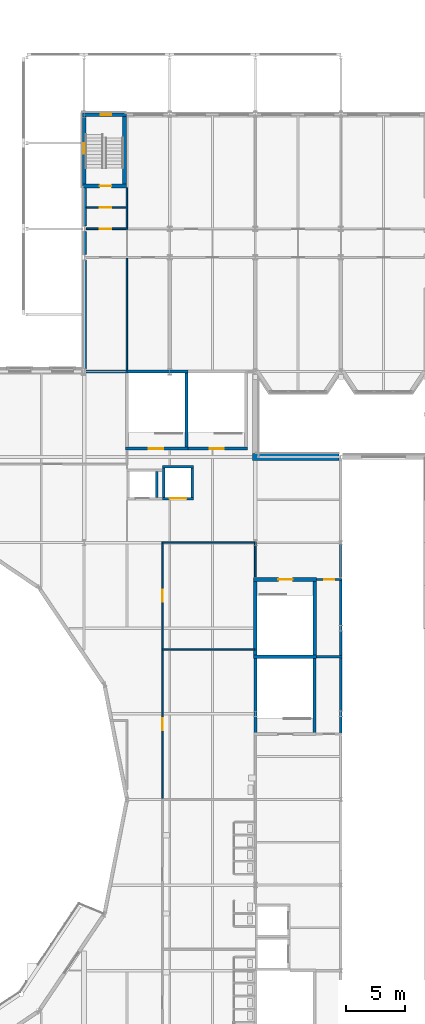
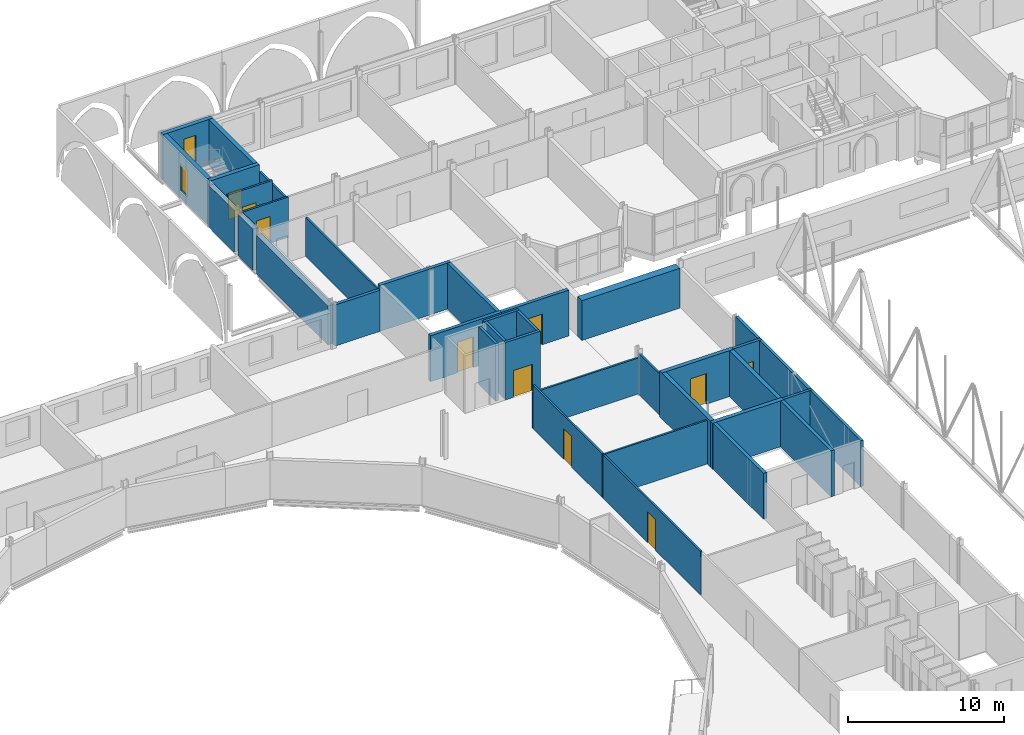
# One storey, part 96 of 142: 38 walls, 10 doors, 2 windows, 12 openings.
"""IFC4 building model written with IfcOpenShell, lengths in metres."""

from ifc_helpers import new_model, si_unit, direction, frame, frame_2d, origin, place, context, subcontext, project, spatial, rectangle, extrude, material, layer, layer_set, type_object, element, fill, save


model = new_model("IFC4")

# Units and contexts
model_context = context("Model", 3, precision=1e-05, world=origin(), true_north=direction((0.0, 1.0)))
body_context = subcontext(model_context, "Body", "Model", "MODEL_VIEW")
ifc_project = project(units=[si_unit("LENGTHUNIT", "METRE"), si_unit("AREAUNIT", "SQUARE_METRE"), si_unit("VOLUMEUNIT", "CUBIC_METRE"), si_unit("PLANEANGLEUNIT", "RADIAN"), si_unit("MASSUNIT", "GRAM", prefix="KILO")], contexts=[model_context])

# Site, building, storey
site_placement = place(None, origin())
site = spatial("IfcSite", under=ifc_project, at=site_placement, CompositionType="ELEMENT")
building_placement = place(site_placement, origin())
building = spatial("IfcBuilding", under=site, at=building_placement, Name="Kupolbacken Congress Centre", CompositionType="ELEMENT")
storey_placement = place(building_placement, frame((0.0, 0.0, 14.39990234375)))
storey = spatial("IfcBuildingStorey", under=building, at=storey_placement, Name="L04", CompositionType="ELEMENT", Elevation=14.39990234375)

# Walls
ifc_material_1 = material(Name="Limestone", Category="masonry")
ifc_layer_1 = layer(ifc_material_1, 0.1201171875)
ifc_material_2 = material(Name="Air cavity", Category="air")
ifc_layer_2 = layer(ifc_material_2, 0.0400390625, ventilated=True)
ifc_material_3 = material(Name="Mineral wool", Category="insulation")
ifc_layer_3 = layer(ifc_material_3, 0.169921875)
ifc_material_4 = material(Name="Steel studs", Category="metal")
ifc_layer_4 = layer(ifc_material_4, 0.050048828125)
ifc_layer_set_1 = layer_set([ifc_layer_1, ifc_layer_2, ifc_layer_3, ifc_layer_4], Name="Limestone / Mineral wool / Steel studs")
wall_type_1 = type_object("IfcWallType", Name="EW03 external cavity wall 380", PredefinedType="SOLIDWALL", material=ifc_layer_set_1)
wall_1_placement = place(storey_placement, frame((64.800048828125, 138.0, 0.0), z_axis=(0.0, 0.0, 1.0), x_axis=(0.0, -1.0, 0.0)))
element("IfcWall", 1, at=wall_1_placement, inside=storey, type_object=wall_type_1, Name="E/T/W/L04/058", PredefinedType="SOLIDWALL", context=body_context, shape_type="SweptSolid", body=[
    extrude(rectangle(XDim=3.375, YDim=0.3798828125, at=frame_2d((1.6875, 0.0))), origin(), (0.0, 0.0, 1.0), 3.260009765625),
])
wall_2_placement = place(storey_placement, frame((64.800048828125, 134.175048828125, 0.0), z_axis=(0.0, 0.0, 1.0), x_axis=(0.0, -1.0, 0.0)))
element("IfcWall", 2, at=wall_2_placement, inside=storey, type_object=wall_type_1, Name="E/T/W/L04/059", PredefinedType="SOLIDWALL", context=body_context, shape_type="SweptSolid", body=[
    extrude(rectangle(XDim=1.949951171875, YDim=0.3798828125, at=frame_2d((0.97509765625, 0.0))), origin(), (0.0, 0.0, 1.0), 3.260009765625),
])
wall_3_placement = place(storey_placement, frame((64.800048828125, 131.77490234375, 0.0), z_axis=(0.0, 0.0, 1.0), x_axis=(0.0, -1.0, 0.0)))
element("IfcWall", 3, at=wall_3_placement, inside=storey, type_object=wall_type_1, Name="E/T/W/L04/060", PredefinedType="SOLIDWALL", context=body_context, shape_type="SweptSolid", body=[
    extrude(rectangle(XDim=9.14990234375, YDim=0.3798828125, at=frame_2d((4.574951171875, 0.0))), origin(), (0.0, 0.0, 1.0), 3.06005859375),
])
ifc_material_5 = material(Name="Concrete C40/50", Category="concrete")
ifc_layer_5 = layer(ifc_material_5, 0.199951171875)
ifc_layer_6 = layer(ifc_material_3, 0.199951171875)
ifc_layer_7 = layer(ifc_material_2, 0.0400390625, ventilated=True)
ifc_layer_8 = layer(ifc_material_1, 0.1201171875)
ifc_layer_set_2 = layer_set([ifc_layer_5, ifc_layer_6, ifc_layer_7, ifc_layer_8], Name="Concrete C40/50 / Mineral wool / Limestone")
wall_type_2 = type_object("IfcWallType", Name="EW09 external cavity wall 560", PredefinedType="SOLIDWALL", material=ifc_layer_set_2)
wall_4_placement = place(storey_placement, frame((86.25, 115.199951171875, 0.0), z_axis=(0.0, 0.0, 1.0), x_axis=(-1.0, 0.0, 0.0)))
element("IfcWall", 4, at=wall_4_placement, inside=storey, type_object=wall_type_2, Name="E/LINK/N/L04/440", PredefinedType="SOLIDWALL", context=body_context, shape_type="SweptSolid", body=[
    extrude(rectangle(XDim=7.27001953125, YDim=0.56005859375, at=frame_2d((3.635009765625, 0.0))), origin(), (0.0, 0.0, 1.0), 3.1201171875),
])
ifc_material_6 = material(Name="Gypsum board", Category="drywall")
ifc_layer_9 = layer(ifc_material_6, 0.135009765625)
ifc_layer_set_3 = layer_set([ifc_layer_9], Name="Gypsum board")
wall_type_3 = type_object("IfcWallType", Name="P06 compartment wall 135", PredefinedType="PARTITIONING", material=ifc_layer_set_3)
wall_5_placement = place(storey_placement, frame((79.199951171875, 107.9326171875, 0.0), z_axis=(0.0, 0.0, 1.0), x_axis=(0.0, -1.0, 0.0)))
element("IfcWall", 5, at=wall_5_placement, inside=storey, type_object=wall_type_3, Name="PD/L04/W016", PredefinedType="PARTITIONING", context=body_context, shape_type="SweptSolid", body=[
    extrude(rectangle(XDim=2.822509765625, YDim=0.135009765625, at=frame_2d((1.4111328125, 0.0))), origin(), (0.0, 0.0, 1.0), 3.218994140625),
])
wall_6_placement = place(storey_placement, frame((71.33251953125, 99.0, 0.0), z_axis=(0.0, 0.0, 1.0), x_axis=(1.0, 0.0, 0.0)))
element("IfcWall", 6, at=wall_6_placement, inside=storey, type_object=wall_type_3, Name="PD/L04/W071", PredefinedType="PARTITIONING", context=body_context, shape_type="SweptSolid", body=[
    extrude(rectangle(XDim=7.807373046875, YDim=0.135009765625, at=frame_2d((3.90380859375, 0.0))), origin(), (0.0, 0.0, 1.0), 3.420166015625),
])

# Wall, opening, door
wall_7_placement = place(storey_placement, frame((71.39990234375, 86.467529296875, 0.0), z_axis=(0.0, 0.0, 1.0), x_axis=(0.0, 1.0, 0.0)))
wall_7 = element("IfcWall", 7, at=wall_7_placement, inside=storey, type_object=wall_type_3, Name="PD/L04/W072", PredefinedType="PARTITIONING", context=body_context, shape_type="SweptSolid", body=[
    extrude(rectangle(XDim=12.465087890625, YDim=0.135009765625, at=frame_2d((6.232421875, 0.0))), origin(), (0.0, 0.0, 1.0), 3.420166015625),
])
opening_1_placement = place(wall_7_placement, frame((5.75, 0.0, 0.0)))
opening_1 = element("IfcOpeningElement", 8, at=opening_1_placement, cuts=wall_7, Name="Opening 4.P19", PredefinedType="OPENING", context=body_context, shape_type="SweptSolid", body=[
    extrude(rectangle(XDim=1.0, YDim=2.39990234375, at=frame_2d((0.5, 1.199951171875))), frame((0.0, 0.077392578125, 0.0), z_axis=(0.0, -1.0, 0.0), x_axis=(1.0, 0.0, 0.0)), (0.0, 0.0, 1.0), 0.155029296875),
])
ifc_material_7 = material(Name="Steel fire door leaf", Category="steel")
door_type_1 = type_object("IfcDoorType", Name="D8 fire door 1000x2400", OperationType="SINGLE_SWING_LEFT", PredefinedType="DOOR", material=ifc_material_7)
door_1_placement = place(opening_1_placement, frame((1.0, 0.0, 0.0), z_axis=(0.0, 0.0, 1.0), x_axis=(-1.0, 0.0, 0.0)))
door_1 = element("IfcDoor", 9, at=door_1_placement, inside=storey, type_object=door_type_1, Name="PD/L04/W072/D4P19", OperationType="SINGLE_SWING_LEFT", OverallHeight=2.39990234375, OverallWidth=1.0, PredefinedType="DOOR", context=body_context, shape_type="SweptSolid", body=[
    extrude(rectangle(XDim=1.0, YDim=2.39990234375, at=frame_2d((0.5, 1.199951171875))), frame((0.0, 0.02490234375, 0.0), z_axis=(0.0, -1.0, 0.0), x_axis=(1.0, 0.0, 0.0)), (0.0, 0.0, 1.0), 0.050048828125),
])
fill(opening_1, door_1)

# Wall
wall_8_placement = place(storey_placement, frame((71.33251953125, 108.0, 0.0), z_axis=(0.0, 0.0, 1.0), x_axis=(1.0, 0.0, 0.0)))
element("IfcWall", 10, at=wall_8_placement, inside=storey, type_object=wall_type_3, Name="PD/L04/W073", PredefinedType="PARTITIONING", context=body_context, shape_type="SweptSolid", body=[
    extrude(rectangle(XDim=7.93505859375, YDim=0.135009765625, at=frame_2d((3.967529296875, 0.0))), origin(), (0.0, 0.0, 1.0), 2.820068359375),
])

# Wall, opening, door
wall_9_placement = place(storey_placement, frame((71.39990234375, 99.0673828125, 0.0), z_axis=(0.0, 0.0, 1.0), x_axis=(0.0, 1.0, 0.0)))
wall_9 = element("IfcWall", 11, at=wall_9_placement, inside=storey, type_object=wall_type_3, Name="PD/L04/W074", PredefinedType="PARTITIONING", context=body_context, shape_type="SweptSolid", body=[
    extrude(rectangle(XDim=8.865234375, YDim=0.135009765625, at=frame_2d((4.4326171875, 0.0))), origin(), (0.0, 0.0, 1.0), 3.420166015625),
])
opening_2_placement = place(wall_9_placement, frame((3.949951171875, 0.0, 0.0)))
opening_2 = element("IfcOpeningElement", 12, at=opening_2_placement, cuts=wall_9, Name="Opening 4.P20", PredefinedType="OPENING", context=body_context, shape_type="SweptSolid", body=[
    extrude(rectangle(XDim=1.0, YDim=2.39990234375, at=frame_2d((0.5, 1.199951171875))), frame((0.0, 0.077392578125, 0.0), z_axis=(0.0, -1.0, 0.0), x_axis=(1.0, 0.0, 0.0)), (0.0, 0.0, 1.0), 0.155029296875),
])
door_2_placement = place(opening_2_placement, frame((1.0, 0.0, 0.0), z_axis=(0.0, 0.0, 1.0), x_axis=(-1.0, 0.0, 0.0)))
door_2 = element("IfcDoor", 13, at=door_2_placement, inside=storey, type_object=door_type_1, Name="PD/L04/W074/D4P20", OperationType="SINGLE_SWING_LEFT", OverallHeight=2.39990234375, OverallWidth=1.0, PredefinedType="DOOR", context=body_context, shape_type="SweptSolid", body=[
    extrude(rectangle(XDim=1.0, YDim=2.39990234375, at=frame_2d((0.5, 1.199951171875))), frame((0.0, 0.02490234375, 0.0), z_axis=(0.0, -1.0, 0.0), x_axis=(1.0, 0.0, 0.0)), (0.0, 0.0, 1.0), 0.050048828125),
])
fill(opening_2, door_2)

# Walls
wall_10_placement = place(storey_placement, frame((68.39990234375, 122.52490234375, 0.0), z_axis=(0.0, 0.0, 1.0), x_axis=(0.0, 1.0, 0.0)))
element("IfcWall", 14, at=wall_10_placement, inside=storey, type_object=wall_type_3, Name="T/wall/L04/y/6840/12252", PredefinedType="PARTITIONING", context=body_context, shape_type="SweptSolid", body=[
    extrude(rectangle(XDim=9.40771484375, YDim=0.135009765625, at=frame_2d((4.703857421875, 0.0))), origin(), (0.0, 0.0, 1.0), 3.06005859375),
])
ifc_material_8 = material(Name="Gypsum board", Category="drywall")
ifc_layer_10 = layer(ifc_material_8, 0.22509765625)
ifc_layer_set_4 = layer_set([ifc_layer_10], Name="Gypsum board")
wall_type_4 = type_object("IfcWallType", Name="P11 compartment wall 225", PredefinedType="PARTITIONING", material=ifc_layer_set_4)
wall_11_placement = place(storey_placement, frame((64.949951171875, 122.39990234375, 0.0), z_axis=(0.0, 0.0, 1.0), x_axis=(1.0, 0.0, 0.0)))
element("IfcWall", 15, at=wall_11_placement, inside=storey, type_object=wall_type_4, Name="E/T/party/L04/09", PredefinedType="PARTITIONING", context=body_context, shape_type="SweptSolid", body=[
    extrude(rectangle(XDim=3.449951171875, YDim=0.22509765625, at=frame_2d((1.72509765625, 0.0))), origin(), (0.0, 0.0, 1.0), 3.22021484375),
])

# Wall, opening, door
ifc_material_9 = material(Name="Aerated concrete block", Category="masonry")
ifc_layer_11 = layer(ifc_material_9, 0.139892578125)
ifc_layer_set_5 = layer_set([ifc_layer_11], Name="Aerated concrete block")
wall_type_5 = type_object("IfcWallType", Name="P14 compartment wall 140", PredefinedType="PARTITIONING", material=ifc_layer_set_5)
wall_12_placement = place(storey_placement, frame((64.989990234375, 134.39990234375, 0.0), z_axis=(0.0, 0.0, 1.0), x_axis=(1.0, 0.0, 0.0)))
wall_12 = element("IfcWall", 16, at=wall_12_placement, inside=storey, type_object=wall_type_5, Name="T/wall/L04/x/13440/6480", PredefinedType="PARTITIONING", context=body_context, shape_type="SweptSolid", body=[
    extrude(rectangle(XDim=3.47998046875, YDim=0.139892578125, at=frame_2d((1.739990234375, 0.0))), origin(), (0.0, 0.0, 1.0), 3.16015625),
])
opening_3_placement = place(wall_12_placement, frame((1.110107421875, 0.0, 0.0)))
opening_3 = element("IfcOpeningElement", 17, at=opening_3_placement, cuts=wall_12, Name="Opening D5", PredefinedType="OPENING", context=body_context, shape_type="SweptSolid", body=[
    extrude(rectangle(XDim=1.0, YDim=2.10009765625, at=frame_2d((0.5, 1.050048828125))), frame((0.0, 0.079833984375, 0.0), z_axis=(0.0, -1.0, 0.0), x_axis=(1.0, 0.0, 0.0)), (0.0, 0.0, 1.0), 0.159912109375),
])
ifc_material_10 = material(Name="Steel fire door leaf", Category="steel")
door_type_2 = type_object("IfcDoorType", Name="D5 stair door 1000x2100", OperationType="SINGLE_SWING_LEFT", PredefinedType="DOOR", material=ifc_material_10)
door_3_placement = place(opening_3_placement, frame((1.0, 0.0, 0.0), z_axis=(0.0, 0.0, 1.0), x_axis=(-1.0, 0.0, 0.0)))
door_3 = element("IfcDoor", 18, at=door_3_placement, inside=storey, type_object=door_type_2, Name="T/wall/L04/x/13440/6480/D-TS3-LK3", OperationType="SINGLE_SWING_LEFT", OverallHeight=2.10009765625, OverallWidth=1.0, PredefinedType="DOOR", context=body_context, shape_type="SweptSolid", body=[
    extrude(rectangle(XDim=1.0, YDim=2.10009765625, at=frame_2d((0.5, 1.050048828125))), frame((0.0, 0.02490234375, 0.0), z_axis=(0.0, -1.0, 0.0), x_axis=(1.0, 0.0, 0.0)), (0.0, 0.0, 1.0), 0.050048828125),
])
fill(opening_3, door_3)

wall_13_placement = place(storey_placement, frame((64.989990234375, 136.199951171875, 0.0), z_axis=(0.0, 0.0, 1.0), x_axis=(1.0, 0.0, 0.0)))
wall_13 = element("IfcWall", 19, at=wall_13_placement, inside=storey, type_object=wall_type_5, Name="T/wall/L04/x/13620/6480", PredefinedType="PARTITIONING", context=body_context, shape_type="SweptSolid", body=[
    extrude(rectangle(XDim=3.340087890625, YDim=0.139892578125, at=frame_2d((1.669921875, 0.0))), origin(), (0.0, 0.0, 1.0), 3.420166015625),
])
opening_4_placement = place(wall_13_placement, frame((1.110107421875, 0.0, 0.0)))
opening_4 = element("IfcOpeningElement", 20, at=opening_4_placement, cuts=wall_13, Name="Opening D5", PredefinedType="OPENING", context=body_context, shape_type="SweptSolid", body=[
    extrude(rectangle(XDim=1.0, YDim=2.10009765625, at=frame_2d((0.5, 1.050048828125))), frame((0.0, 0.079833984375, 0.0), z_axis=(0.0, -1.0, 0.0), x_axis=(1.0, 0.0, 0.0)), (0.0, 0.0, 1.0), 0.159912109375),
])
door_4_placement = place(opening_4_placement, frame((1.0, 0.0, 0.0), z_axis=(0.0, 0.0, 1.0), x_axis=(-1.0, 0.0, 0.0)))
door_4 = element("IfcDoor", 21, at=door_4_placement, inside=storey, type_object=door_type_2, Name="T/wall/L04/x/13620/6480/D-TS3-LK2", OperationType="SINGLE_SWING_LEFT", OverallHeight=2.10009765625, OverallWidth=1.0, PredefinedType="DOOR", context=body_context, shape_type="SweptSolid", body=[
    extrude(rectangle(XDim=1.0, YDim=2.10009765625, at=frame_2d((0.5, 1.050048828125))), frame((0.0, 0.02490234375, 0.0), z_axis=(0.0, -1.0, 0.0), x_axis=(1.0, 0.0, 0.0)), (0.0, 0.0, 1.0), 0.050048828125),
])
fill(opening_4, door_4)

# Walls
wall_14_placement = place(storey_placement, frame((68.39990234375, 134.469970703125, 0.0), z_axis=(0.0, 0.0, 1.0), x_axis=(0.0, 1.0, 0.0)))
element("IfcWall", 22, at=wall_14_placement, inside=storey, type_object=wall_type_5, Name="T/wall/L04/y/6840/13440", PredefinedType="PARTITIONING", context=body_context, shape_type="SweptSolid", body=[
    extrude(rectangle(XDim=3.380126953125, YDim=0.139892578125, at=frame_2d((1.68994140625, 0.0))), origin(), (0.0, 0.0, 1.0), 3.06005859375),
])
ifc_material_11 = material(Name="Dense concrete block", Category="masonry")
ifc_layer_12 = layer(ifc_material_11, 0.215087890625)
ifc_layer_set_6 = layer_set([ifc_layer_12], Name="Dense concrete block")
wall_type_6 = type_object("IfcWallType", Name="P15 partition 215", PredefinedType="PARTITIONING", material=ifc_layer_set_6)
wall_15_placement = place(storey_placement, frame((86.39990234375, 105.06005859375, 0.0), z_axis=(0.0, 0.0, 1.0), x_axis=(0.0, 1.0, 0.0)))
element("IfcWall", 23, at=wall_15_placement, inside=storey, type_object=wall_type_6, Name="PD/L04/W017", PredefinedType="PARTITIONING", context=body_context, shape_type="SweptSolid", body=[
    extrude(rectangle(XDim=2.794921875, YDim=0.215087890625, at=frame_2d((1.3974609375, 0.0))), origin(), (0.0, 0.0, 1.0), 3.60009765625),
])
ifc_material_12 = material(Name="Concrete C40/50", Category="concrete")
ifc_layer_13 = layer(ifc_material_12, 0.199951171875)
ifc_layer_set_7 = layer_set([ifc_layer_13], Name="Concrete C40/50")
wall_type_7 = type_object("IfcWallType", Name="WC1 RC shaft wall 200", PredefinedType="SHEAR", material=ifc_layer_set_7)
wall_16_placement = place(storey_placement, frame((86.39990234375, 91.800048828125, 0.0), z_axis=(0.0, 0.0, 1.0), x_axis=(0.0, 1.0, 0.0)))
element("IfcWall", 24, at=wall_16_placement, inside=storey, type_object=wall_type_7, Name="Shaft wall L04-055", PredefinedType="SHEAR", context=body_context, shape_type="SweptSolid", body=[
    extrude(rectangle(XDim=6.699951171875, YDim=0.199951171875, at=frame_2d((3.35009765625, 0.0))), origin(), (0.0, 0.0, 1.0), 3.60009765625),
])
wall_17_placement = place(storey_placement, frame((84.35009765625, 98.39990234375, 0.0), z_axis=(0.0, 0.0, 1.0), x_axis=(1.0, 0.0, 0.0)))
element("IfcWall", 25, at=wall_17_placement, inside=storey, type_object=wall_type_7, Name="Shaft wall L04-058", PredefinedType="SHEAR", context=body_context, shape_type="SweptSolid", body=[
    extrude(rectangle(XDim=2.14990234375, YDim=0.199951171875, at=frame_2d((1.074951171875, 0.0))), origin(), (0.0, 0.0, 1.0), 3.60009765625),
])
wall_18_placement = place(storey_placement, frame((86.39990234375, 98.5, 0.0), z_axis=(0.0, 0.0, 1.0), x_axis=(0.0, 1.0, 0.0)))
element("IfcWall", 26, at=wall_18_placement, inside=storey, type_object=wall_type_7, Name="Shaft wall L04-060", PredefinedType="SHEAR", context=body_context, shape_type="SweptSolid", body=[
    extrude(rectangle(XDim=6.5, YDim=0.199951171875, at=frame_2d((3.25, 0.0))), origin(), (0.0, 0.0, 1.0), 3.60009765625),
])

# Wall, opening, door
wall_19_placement = place(storey_placement, frame((86.5, 104.89990234375, 0.0), z_axis=(0.0, 0.0, 1.0), x_axis=(-1.0, 0.0, 0.0)))
wall_19 = element("IfcWall", 27, at=wall_19_placement, inside=storey, type_object=wall_type_7, Name="Shaft wall L04-063", PredefinedType="SHEAR", context=body_context, shape_type="SweptSolid", body=[
    extrude(rectangle(XDim=2.14990234375, YDim=0.199951171875, at=frame_2d((1.074951171875, 0.0))), origin(), (0.0, 0.0, 1.0), 3.60009765625),
])
opening_5_placement = place(wall_19_placement, frame((0.64990234375, 0.0, 0.0)))
opening_5 = element("IfcOpeningElement", 28, at=opening_5_placement, cuts=wall_19, Name="Opening 4.L06", PredefinedType="OPENING", context=body_context, shape_type="SweptSolid", body=[
    extrude(rectangle(XDim=0.85009765625, YDim=2.10009765625, at=frame_2d((0.425048828125, 1.050048828125))), frame((0.0, 0.10986328125, 0.0), z_axis=(0.0, -1.0, 0.0), x_axis=(1.0, 0.0, 0.0)), (0.0, 0.0, 1.0), 0.219970703125),
])
ifc_material_13 = material(Name="Steel fire door leaf", Category="steel")
door_type_3 = type_object("IfcDoorType", Name="D3 fire door 850x2100", OperationType="SINGLE_SWING_LEFT", PredefinedType="DOOR", material=ifc_material_13)
door_5_placement = place(opening_5_placement, origin())
door_5 = element("IfcDoor", 29, at=door_5_placement, inside=storey, type_object=door_type_3, Name="S/core/L04/063/D4L06", OperationType="SINGLE_SWING_RIGHT", OverallHeight=2.10009765625, OverallWidth=0.85009765625, PredefinedType="DOOR", context=body_context, shape_type="SweptSolid", body=[
    extrude(rectangle(XDim=0.85009765625, YDim=2.10009765625, at=frame_2d((0.425048828125, 1.050048828125))), frame((0.0, 0.02490234375, 0.0), z_axis=(0.0, -1.0, 0.0), x_axis=(1.0, 0.0, 0.0)), (0.0, 0.0, 1.0), 0.050048828125),
])
fill(opening_5, door_5)

# Wall
wall_20_placement = place(storey_placement, frame((70.89990234375, 111.800048828125, 0.0), z_axis=(0.0, 0.0, 1.0), x_axis=(0.0, 1.0, 0.0)))
element("IfcWall", 30, at=wall_20_placement, inside=storey, type_object=wall_type_7, Name="Shaft wall LP8", PredefinedType="SHEAR", context=body_context, shape_type="SweptSolid", body=[
    extrude(rectangle(XDim=2.199951171875, YDim=0.199951171875, at=frame_2d((1.10009765625, 0.0))), origin(), (0.0, 0.0, 1.0), 4.5),
])

# Wall, opening, door
wall_21_placement = place(storey_placement, frame((71.39990234375, 111.699951171875, 0.0), z_axis=(0.0, 0.0, 1.0), x_axis=(1.0, 0.0, 0.0)))
wall_21 = element("IfcWall", 31, at=wall_21_placement, inside=storey, type_object=wall_type_7, Name="Shaft wall LG2", PredefinedType="SHEAR", context=body_context, shape_type="SweptSolid", body=[
    extrude(rectangle(XDim=2.60009765625, YDim=0.199951171875, at=frame_2d((1.300048828125, 0.0))), origin(), (0.0, 0.0, 1.0), 4.5),
])
opening_6_placement = place(wall_21_placement, frame((0.60009765625, 0.0, 0.0)))
opening_6 = element("IfcOpeningElement", 32, at=opening_6_placement, cuts=wall_21, Name="Opening LD3", PredefinedType="OPENING", context=body_context, shape_type="SweptSolid", body=[
    extrude(rectangle(XDim=1.39990234375, YDim=2.10009765625, at=frame_2d((0.699951171875, 1.050048828125))), frame((0.0, 0.10986328125, 0.0), z_axis=(0.0, -1.0, 0.0), x_axis=(1.0, 0.0, 0.0)), (0.0, 0.0, 1.0), 0.219970703125),
])
ifc_material_14 = material(Name="Stainless steel door leaf", Category="steel")
door_type_4 = type_object("IfcDoorType", Name="LD3 lift landing door 1400x2100", OperationType="SLIDING_TO_LEFT", PredefinedType="DOOR", material=ifc_material_14)
door_6_placement = place(opening_6_placement, origin())
door_6 = element("IfcDoor", 33, at=door_6_placement, inside=storey, type_object=door_type_4, Name="Lift landing door LG2", OperationType="SLIDING_TO_LEFT", OverallHeight=2.10009765625, OverallWidth=1.39990234375, PredefinedType="DOOR", context=body_context, shape_type="SweptSolid", body=[
    extrude(rectangle(XDim=1.39990234375, YDim=2.10009765625, at=frame_2d((0.699951171875, 1.050048828125))), frame((0.0, 0.02490234375, 0.0), z_axis=(0.0, -1.0, 0.0), x_axis=(1.0, 0.0, 0.0)), (0.0, 0.0, 1.0), 0.050048828125),
])
fill(opening_6, door_6)

# Walls
wall_22_placement = place(storey_placement, frame((71.39990234375, 114.39990234375, 0.0), z_axis=(0.0, 0.0, 1.0), x_axis=(1.0, 0.0, 0.0)))
element("IfcWall", 34, at=wall_22_placement, inside=storey, type_object=wall_type_7, Name="Shaft wall LG2", PredefinedType="SHEAR", context=body_context, shape_type="SweptSolid", body=[
    extrude(rectangle(XDim=2.60009765625, YDim=0.199951171875, at=frame_2d((1.300048828125, 0.0))), origin(), (0.0, 0.0, 1.0), 4.5),
])
for number, where, z_axis, x_axis, name in (
    (35, (71.5, 111.800048828125, 0.0), (0.0, 0.0, 1.0), (0.0, 1.0, 0.0), "Shaft wall LG2"),
    (36, (73.89990234375, 111.800048828125, 0.0), (0.0, 0.0, 1.0), (0.0, 1.0, 0.0), "Shaft wall LG2"),
):
    element("IfcWall", number, at=place(storey_placement, frame(where, z_axis=z_axis, x_axis=x_axis)), inside=storey, type_object=wall_type_7, Name=name, PredefinedType="SHEAR", context=body_context, shape_type="SweptSolid", body=[
        extrude(rectangle(XDim=2.5, YDim=0.199951171875, at=frame_2d((1.25, 0.0))), origin(), (0.0, 0.0, 1.0), 4.5),
    ])
ifc_material_15 = material(Name="Concrete C40/50", Category="concrete")
ifc_layer_14 = layer(ifc_material_15, 0.25)
ifc_layer_set_8 = layer_set([ifc_layer_14], Name="Concrete C40/50")
wall_type_8 = type_object("IfcWallType", Name="WC2 RC stair enclosure wall 250", PredefinedType="SHEAR", material=ifc_layer_set_8)
for number, where, z_axis, x_axis, name in (
    (37, (84.199951171875, 91.77490234375, 0.0), (0.0, 0.0, 1.0), (0.0, 1.0, 0.0), "Stair enclosure wall L04-054"),
    (38, (79.199951171875, 98.550048828125, 0.0), (0.0, 0.0, 1.0), (0.0, -1.0, 0.0), "Stair enclosure wall L04-056"),
):
    element("IfcWall", number, at=place(storey_placement, frame(where, z_axis=z_axis, x_axis=x_axis)), inside=storey, type_object=wall_type_8, Name=name, PredefinedType="SHEAR", context=body_context, shape_type="SweptSolid", body=[
        extrude(rectangle(XDim=6.775146484375, YDim=0.25, at=frame_2d((3.3876953125, 0.0))), origin(), (0.0, 0.0, 1.0), 3.60009765625),
    ])

# Wall, opening, door
wall_23_placement = place(storey_placement, frame((68.27490234375, 115.89990234375, 0.0), z_axis=(0.0, 0.0, 1.0), x_axis=(1.0, 0.0, 0.0)))
wall_23 = element("IfcWall", 39, at=wall_23_placement, inside=storey, type_object=wall_type_8, Name="Stair enclosure wall L04-068", PredefinedType="SHEAR", context=body_context, shape_type="SweptSolid", body=[
    extrude(rectangle(XDim=5.25, YDim=0.25, at=frame_2d((2.625, 0.0))), origin(), (0.0, 0.0, 1.0), 3.60009765625),
])
opening_7_placement = place(wall_23_placement, frame((1.97509765625, 0.0, 0.0)))
opening_7 = element("IfcOpeningElement", 40, at=opening_7_placement, cuts=wall_23, Name="Opening 4.P07", PredefinedType="OPENING", context=body_context, shape_type="SweptSolid", body=[
    extrude(rectangle(XDim=1.199951171875, YDim=2.39990234375, at=frame_2d((0.60009765625, 1.199951171875))), frame((0.0, 0.135009765625, 0.0), z_axis=(0.0, -1.0, 0.0), x_axis=(1.0, 0.0, 0.0)), (0.0, 0.0, 1.0), 0.27001953125),
])
ifc_material_16 = material(Name="Steel fire door leaf", Category="steel")
door_type_5 = type_object("IfcDoorType", Name="D9 fire door 1200x2400", OperationType="SINGLE_SWING_LEFT", PredefinedType="DOOR", material=ifc_material_16)
door_7_placement = place(opening_7_placement, origin())
door_7 = element("IfcDoor", 41, at=door_7_placement, inside=storey, type_object=door_type_5, Name="S/core/L04/068/D4P07", OperationType="SINGLE_SWING_RIGHT", OverallHeight=2.39990234375, OverallWidth=1.199951171875, PredefinedType="DOOR", context=body_context, shape_type="SweptSolid", body=[
    extrude(rectangle(XDim=1.199951171875, YDim=2.39990234375, at=frame_2d((0.60009765625, 1.199951171875))), frame((0.0, 0.02490234375, 0.0), z_axis=(0.0, -1.0, 0.0), x_axis=(1.0, 0.0, 0.0)), (0.0, 0.0, 1.0), 0.050048828125),
])
fill(opening_7, door_7)

wall_24_placement = place(storey_placement, frame((73.52490234375, 115.89990234375, 0.0), z_axis=(0.0, 0.0, 1.0), x_axis=(1.0, 0.0, 0.0)))
wall_24 = element("IfcWall", 42, at=wall_24_placement, inside=storey, type_object=wall_type_8, Name="Stair enclosure wall L04-069", PredefinedType="SHEAR", context=body_context, shape_type="SweptSolid", body=[
    extrude(rectangle(XDim=5.0, YDim=0.25, at=frame_2d((2.5, 0.0))), origin(), (0.0, 0.0, 1.0), 3.60009765625),
])
opening_8_placement = place(wall_24_placement, frame((1.824951171875, 0.0, 0.0)))
opening_8 = element("IfcOpeningElement", 43, at=opening_8_placement, cuts=wall_24, Name="Opening 4.P08", PredefinedType="OPENING", context=body_context, shape_type="SweptSolid", body=[
    extrude(rectangle(XDim=1.199951171875, YDim=2.39990234375, at=frame_2d((0.60009765625, 1.199951171875))), frame((0.0, 0.135009765625, 0.0), z_axis=(0.0, -1.0, 0.0), x_axis=(1.0, 0.0, 0.0)), (0.0, 0.0, 1.0), 0.27001953125),
])
door_8_placement = place(opening_8_placement, origin())
door_8 = element("IfcDoor", 44, at=door_8_placement, inside=storey, type_object=door_type_5, Name="S/core/L04/069/D4P08", OperationType="SINGLE_SWING_LEFT", OverallHeight=2.39990234375, OverallWidth=1.199951171875, PredefinedType="DOOR", context=body_context, shape_type="SweptSolid", body=[
    extrude(rectangle(XDim=1.199951171875, YDim=2.39990234375, at=frame_2d((0.60009765625, 1.199951171875))), frame((0.0, 0.02490234375, 0.0), z_axis=(0.0, -1.0, 0.0), x_axis=(1.0, 0.0, 0.0)), (0.0, 0.0, 1.0), 0.050048828125),
])
fill(opening_8, door_8)

# Walls
wall_25_placement = place(storey_placement, frame((73.39990234375, 115.77490234375, 0.0), z_axis=(0.0, 0.0, 1.0), x_axis=(0.0, 1.0, 0.0)))
element("IfcWall", 45, at=wall_25_placement, inside=storey, type_object=wall_type_8, Name="Stair enclosure wall L04-070", PredefinedType="SHEAR", context=body_context, shape_type="SweptSolid", body=[
    extrude(rectangle(XDim=6.75, YDim=0.25, at=frame_2d((3.375, 0.0))), origin(), (0.0, 0.0, 1.0), 3.60009765625),
])
wall_26_placement = place(storey_placement, frame((73.52490234375, 122.39990234375, 0.0), z_axis=(0.0, 0.0, 1.0), x_axis=(-1.0, 0.0, 0.0)))
element("IfcWall", 46, at=wall_26_placement, inside=storey, type_object=wall_type_8, Name="Stair enclosure wall L04-076", PredefinedType="SHEAR", context=body_context, shape_type="SweptSolid", body=[
    extrude(rectangle(XDim=5.25, YDim=0.25, at=frame_2d((2.625, 0.0))), origin(), (0.0, 0.0, 1.0), 3.60009765625),
])
ifc_material_17 = material(Name="Concrete C40/50", Category="concrete")
ifc_layer_15 = layer(ifc_material_17, 0.300048828125)
ifc_layer_set_9 = layer_set([ifc_layer_15], Name="Concrete C40/50")
wall_type_9 = type_object("IfcWallType", Name="WC3 RC core wall 300", PredefinedType="SHEAR", material=ifc_layer_set_9)
wall_27_placement = place(storey_placement, frame((84.35009765625, 98.39990234375, 0.0), z_axis=(0.0, 0.0, 1.0), x_axis=(-1.0, 0.0, 0.0)))
element("IfcWall", 47, at=wall_27_placement, inside=storey, type_object=wall_type_9, Name="Core wall L04-057", PredefinedType="SHEAR", context=body_context, shape_type="SweptSolid", body=[
    extrude(rectangle(XDim=5.300048828125, YDim=0.300048828125, at=frame_2d((2.64990234375, 0.0))), origin(), (0.0, 0.0, 1.0), 3.60009765625),
])
for number, where, z_axis, x_axis, name in (
    (48, (84.199951171875, 98.550048828125, 0.0), (0.0, 0.0, 1.0), (0.0, 1.0, 0.0), "Core wall L04-059"),
    (49, (79.199951171875, 105.050048828125, 0.0), (0.0, 0.0, 1.0), (0.0, -1.0, 0.0), "Core wall L04-061"),
):
    element("IfcWall", number, at=place(storey_placement, frame(where, z_axis=z_axis, x_axis=x_axis)), inside=storey, type_object=wall_type_9, Name=name, PredefinedType="SHEAR", context=body_context, shape_type="SweptSolid", body=[
        extrude(rectangle(XDim=6.5, YDim=0.300048828125, at=frame_2d((3.25, 0.0))), origin(), (0.0, 0.0, 1.0), 3.60009765625),
    ])

# Wall, opening, door
wall_28_placement = place(storey_placement, frame((84.35009765625, 104.89990234375, 0.0), z_axis=(0.0, 0.0, 1.0), x_axis=(-1.0, 0.0, 0.0)))
wall_28 = element("IfcWall", 50, at=wall_28_placement, inside=storey, type_object=wall_type_9, Name="Core wall L04-062", PredefinedType="SHEAR", context=body_context, shape_type="SweptSolid", body=[
    extrude(rectangle(XDim=5.300048828125, YDim=0.300048828125, at=frame_2d((2.64990234375, 0.0))), origin(), (0.0, 0.0, 1.0), 3.60009765625),
])
opening_9_placement = place(wall_28_placement, frame((2.0, 0.0, 0.0)))
opening_9 = element("IfcOpeningElement", 51, at=opening_9_placement, cuts=wall_28, Name="Opening 4.L04", PredefinedType="OPENING", context=body_context, shape_type="SweptSolid", body=[
    extrude(rectangle(XDim=1.199951171875, YDim=2.39990234375, at=frame_2d((0.60009765625, 1.199951171875))), frame((0.0, 0.159912109375, 0.0), z_axis=(0.0, -1.0, 0.0), x_axis=(1.0, 0.0, 0.0)), (0.0, 0.0, 1.0), 0.320068359375),
])
door_9_placement = place(opening_9_placement, origin())
door_9 = element("IfcDoor", 52, at=door_9_placement, inside=storey, type_object=door_type_5, Name="S/core/L04/062/D4L04", OperationType="SINGLE_SWING_RIGHT", OverallHeight=2.39990234375, OverallWidth=1.199951171875, PredefinedType="DOOR", context=body_context, shape_type="SweptSolid", body=[
    extrude(rectangle(XDim=1.199951171875, YDim=2.39990234375, at=frame_2d((0.60009765625, 1.199951171875))), frame((0.0, 0.02490234375, 0.0), z_axis=(0.0, -1.0, 0.0), x_axis=(1.0, 0.0, 0.0)), (0.0, 0.0, 1.0), 0.050048828125),
])
fill(opening_9, door_9)

wall_29_placement = place(storey_placement, frame((64.64990234375, 138.0, 0.0), z_axis=(0.0, 0.0, 1.0), x_axis=(1.0, 0.0, 0.0)))
wall_29 = element("IfcWall", 53, at=wall_29_placement, inside=storey, type_object=wall_type_9, Name="Core wall L04-118", PredefinedType="SHEAR", context=body_context, shape_type="SweptSolid", body=[
    extrude(rectangle(XDim=3.7001953125, YDim=0.300048828125, at=frame_2d((1.85009765625, 0.0))), origin(), (0.0, 0.0, 1.0), 3.60009765625),
])
opening_10_placement = place(wall_29_placement, frame((1.449951171875, 0.0, 0.0)))
opening_10 = element("IfcOpeningElement", 54, at=opening_10_placement, cuts=wall_29, Name="Opening D5", PredefinedType="OPENING", context=body_context, shape_type="SweptSolid", body=[
    extrude(rectangle(XDim=1.0, YDim=2.10009765625, at=frame_2d((0.5, 1.050048828125))), frame((0.0, 0.159912109375, 0.0), z_axis=(0.0, -1.0, 0.0), x_axis=(1.0, 0.0, 0.0)), (0.0, 0.0, 1.0), 0.320068359375),
])
door_10_placement = place(opening_10_placement, origin())
door_10 = element("IfcDoor", 55, at=door_10_placement, inside=storey, type_object=door_type_2, Name="S/core/L04/118/D-TS3-LK1", OperationType="SINGLE_SWING_LEFT", OverallHeight=2.10009765625, OverallWidth=1.0, PredefinedType="DOOR", context=body_context, shape_type="SweptSolid", body=[
    extrude(rectangle(XDim=1.0, YDim=2.10009765625, at=frame_2d((0.5, 1.050048828125))), frame((0.0, 0.02490234375, 0.0), z_axis=(0.0, -1.0, 0.0), x_axis=(1.0, 0.0, 0.0)), (0.0, 0.0, 1.0), 0.050048828125),
])
fill(opening_10, door_10)

# Wall
wall_30_placement = place(storey_placement, frame((68.199951171875, 137.85009765625, 0.0), z_axis=(0.0, 0.0, 1.0), x_axis=(0.0, 1.0, 0.0)))
element("IfcWall", 56, at=wall_30_placement, inside=storey, type_object=wall_type_9, Name="Core wall L04-119", PredefinedType="SHEAR", context=body_context, shape_type="SweptSolid", body=[
    extrude(rectangle(XDim=6.2998046875, YDim=0.300048828125, at=frame_2d((3.14990234375, 0.0))), origin(), (0.0, 0.0, 1.0), 3.60009765625),
])

# Wall, opening, window
wall_31_placement = place(storey_placement, frame((64.800048828125, 144.14990234375, 0.0), z_axis=(0.0, 0.0, 1.0), x_axis=(0.0, -1.0, 0.0)))
wall_31 = element("IfcWall", 57, at=wall_31_placement, inside=storey, type_object=wall_type_9, Name="Core wall L04-124", PredefinedType="SHEAR", context=body_context, shape_type="SweptSolid", body=[
    extrude(rectangle(XDim=6.2998046875, YDim=0.300048828125, at=frame_2d((3.14990234375, 0.0))), origin(), (0.0, 0.0, 1.0), 3.60009765625),
])
opening_11_placement = place(wall_31_placement, frame((2.550048828125, 0.0, 0.60009765625)))
opening_11 = element("IfcOpeningElement", 58, at=opening_11_placement, cuts=wall_31, Name="Opening W28", PredefinedType="OPENING", context=body_context, shape_type="SweptSolid", body=[
    extrude(rectangle(XDim=0.89990234375, YDim=2.10009765625, at=frame_2d((0.449951171875, 1.050048828125))), frame((0.0, 0.159912109375, 0.0), z_axis=(0.0, -1.0, 0.0), x_axis=(1.0, 0.0, 0.0)), (0.0, 0.0, 1.0), 0.320068359375),
])
ifc_material_18 = material(Name="Aluminium frame with double or triple glazing", Category="aluminium")
window_type = type_object("IfcWindowType", Name="W28 window 900x2100", PartitioningType="SINGLE_PANEL", PredefinedType="WINDOW", material=ifc_material_18)
window_1_placement = place(opening_11_placement, origin())
window_1 = element("IfcWindow", 59, at=window_1_placement, inside=storey, type_object=window_type, Name="S/core/L04/124/WW28", OverallHeight=2.10009765625, OverallWidth=0.89990234375, PartitioningType="SINGLE_PANEL", PredefinedType="WINDOW", context=body_context, shape_type="SweptSolid", body=[
    extrude(rectangle(XDim=0.89990234375, YDim=2.10009765625, at=frame_2d((0.449951171875, 1.050048828125))), frame((0.0, 0.030029296875, 0.0), z_axis=(0.0, -1.0, 0.0), x_axis=(1.0, 0.0, 0.0)), (0.0, 0.0, 1.0), 0.06005859375),
])
fill(opening_11, window_1)

wall_32_placement = place(storey_placement, frame((68.35009765625, 144.0, 0.0), z_axis=(0.0, 0.0, 1.0), x_axis=(-1.0, 0.0, 0.0)))
wall_32 = element("IfcWall", 60, at=wall_32_placement, inside=storey, type_object=wall_type_9, Name="Core wall L04-125", PredefinedType="SHEAR", context=body_context, shape_type="SweptSolid", body=[
    extrude(rectangle(XDim=3.7001953125, YDim=0.300048828125, at=frame_2d((1.85009765625, 0.0))), origin(), (0.0, 0.0, 1.0), 3.60009765625),
])
opening_12_placement = place(wall_32_placement, frame((1.25, 0.0, 0.60009765625)))
opening_12 = element("IfcOpeningElement", 61, at=opening_12_placement, cuts=wall_32, Name="Opening W28", PredefinedType="OPENING", context=body_context, shape_type="SweptSolid", body=[
    extrude(rectangle(XDim=0.89990234375, YDim=2.10009765625, at=frame_2d((0.449951171875, 1.050048828125))), frame((0.0, 0.159912109375, 0.0), z_axis=(0.0, -1.0, 0.0), x_axis=(1.0, 0.0, 0.0)), (0.0, 0.0, 1.0), 0.320068359375),
])
window_2_placement = place(opening_12_placement, origin())
window_2 = element("IfcWindow", 62, at=window_2_placement, inside=storey, type_object=window_type, Name="S/core/L04/125/WW28", OverallHeight=2.10009765625, OverallWidth=0.89990234375, PartitioningType="SINGLE_PANEL", PredefinedType="WINDOW", context=body_context, shape_type="SweptSolid", body=[
    extrude(rectangle(XDim=0.89990234375, YDim=2.10009765625, at=frame_2d((0.449951171875, 1.050048828125))), frame((0.0, 0.030029296875, 0.0), z_axis=(0.0, -1.0, 0.0), x_axis=(1.0, 0.0, 0.0)), (0.0, 0.0, 1.0), 0.06005859375),
])
fill(opening_12, window_2)

save(model, "model.ifc")
